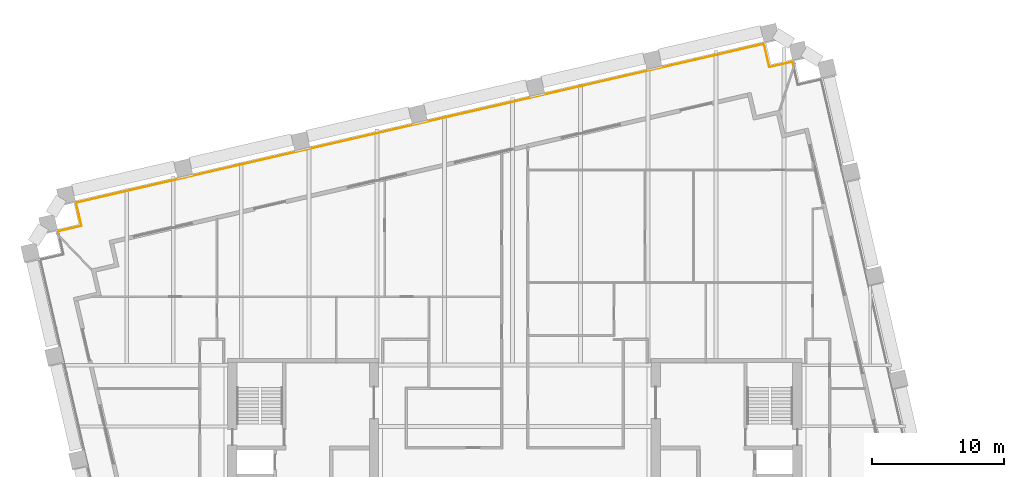
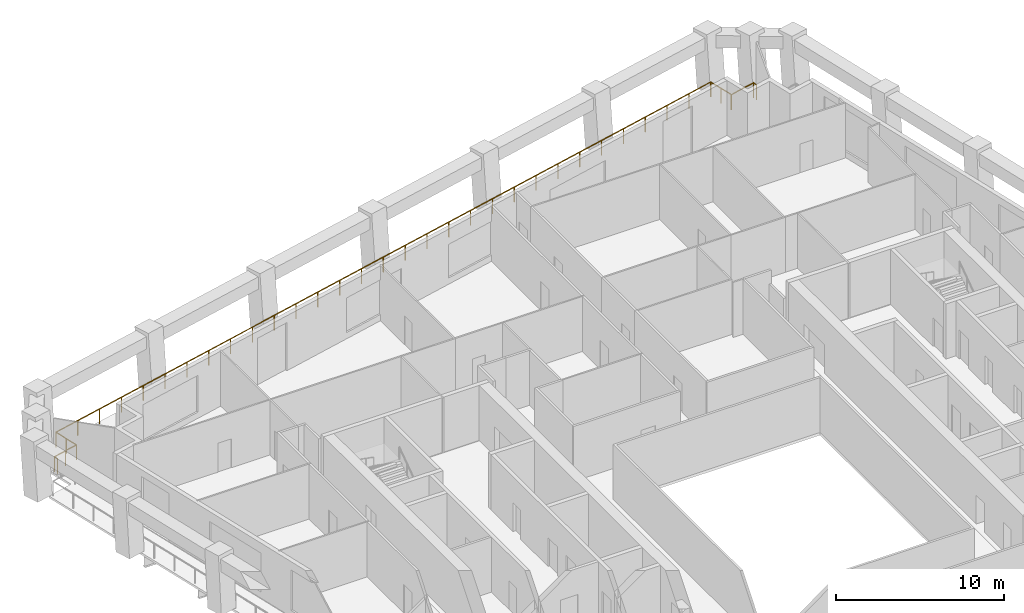
# One storey, part 11 of 11: 1 railing.
"""IFC4 building model written with IfcOpenShell, lengths in metres."""

import ifcopenshell
import ifcopenshell.guid

model = None  # the IFC model being written
_history = None  # IfcOwnerHistory: only IFC2X3 demands one
_inside = {}  # id of a spatial element -> (the spatial element, [elements in it])
_under = {}  # id of a project, library or spatial element -> (it, [spatial elements below it])
_declared = {}  # id of a project -> (the project, [libraries it declares])
_typed = {}  # id of a type object -> (the type object, [elements of that type])
_made_of = {}  # id of a material, layer set ... -> (it, [elements and type objects made of it])


def new_model(schema):
    """Start an empty IFC model of exactly this schema.

    Asked for "IFC4X3", IfcOpenShell would pick the latest addendum, in which some entities
    have other attributes; the version numbers below select the first issue.
    IFC2X3 requires an IfcOwnerHistory on every rooted entity: one is made here for all.
    """
    global model, _history
    if schema == "IFC4X3":
        model = ifcopenshell.file(schema_version=(4, 3, 0, 0))
    else:
        model = ifcopenshell.file(schema=schema)
    _inside.clear()
    _under.clear()
    _declared.clear()
    _typed.clear()
    _made_of.clear()
    _history = None
    if model.schema == "IFC2X3":
        org = make("IfcOrganization", Name="unknown")
        user = make(
            "IfcPersonAndOrganization",
            ThePerson=make("IfcPerson", FamilyName="unknown"),
            TheOrganization=org,
        )
        app = make(
            "IfcApplication",
            ApplicationDeveloper=org,
            Version="unknown",
            ApplicationFullName="unknown",
            ApplicationIdentifier="unknown",
        )
        _history = make(
            "IfcOwnerHistory",
            OwningUser=user,
            OwningApplication=app,
            ChangeAction="ADDED",
            CreationDate=0,
        )
    return model


def make(cls, **values):
    """One entity of the class cls with the attributes given. An attribute that is None is left unset."""
    return model.create_entity(
        cls, **{name: value for name, value in values.items() if value is not None}
    )


def rooted(cls, **values):
    """An entity with a GlobalId (a new one), such as an element, a storey or a relation."""
    return make(cls, GlobalId=ifcopenshell.guid.new(), OwnerHistory=_history, **values)


def si_unit(unit_type, name, prefix=None):
    """IfcSIUnit, for example si_unit("LENGTHUNIT", "METRE", prefix="MILLI")."""
    return make("IfcSIUnit", UnitType=unit_type, Prefix=prefix, Name=name)


def assignment(units):
    """IfcUnitAssignment: the units of a project."""
    return None if units is None else make("IfcUnitAssignment", Units=units)


def point(xyz):
    """IfcCartesianPoint."""
    return None if xyz is None else make("IfcCartesianPoint", Coordinates=xyz)


def direction(xyz):
    """IfcDirection."""
    return None if xyz is None else make("IfcDirection", DirectionRatios=xyz)


def frame(location, z_axis=None, x_axis=None):
    """IfcAxis2Placement3D, a coordinate frame: its origin and axes. An axis left out is left unset."""
    return make(
        "IfcAxis2Placement3D",
        Location=point(location),
        Axis=direction(z_axis),
        RefDirection=direction(x_axis),
    )


def frame_2d(location, x_axis=None):
    """IfcAxis2Placement2D, a coordinate frame in the plane: its origin and x axis."""
    return make(
        "IfcAxis2Placement2D", Location=point(location), RefDirection=direction(x_axis)
    )


def origin():
    """The frame at (0, 0, 0) with its axes left unset."""
    return frame((0.0, 0.0, 0.0))


def origin_2d():
    """The frame at (0, 0) in the plane with its x axis left unset."""
    return frame_2d((0.0, 0.0))


def place(relative_to, where):
    """IfcLocalPlacement: puts the frame where relative to a parent placement (None: the world)."""
    return make(
        "IfcLocalPlacement", PlacementRelTo=relative_to, RelativePlacement=where
    )


def context(
    kind, dimensions, precision=None, world=None, true_north=None, identifier=None
):
    """IfcGeometricRepresentationContext, for example the 3D "Model" context."""
    return make(
        "IfcGeometricRepresentationContext",
        ContextIdentifier=identifier,
        ContextType=kind,
        CoordinateSpaceDimension=dimensions,
        Precision=precision,
        WorldCoordinateSystem=world,
        TrueNorth=true_north,
    )


def subcontext(parent, identifier, kind, view, scale=None):
    """IfcGeometricRepresentationSubContext, for example "Body" below "Model"."""
    return make(
        "IfcGeometricRepresentationSubContext",
        ContextIdentifier=identifier,
        ContextType=kind,
        ParentContext=parent,
        TargetScale=scale,
        TargetView=view,
    )


def project(units=None, contexts=None):
    """IfcProject with its units and contexts."""
    return rooted(
        "IfcProject",
        Name="project",
        RepresentationContexts=contexts,
        UnitsInContext=assignment(units),
    )


def spatial(cls, under=None, at=None, **own):
    """A site, building, storey or space (cls), placed at a placement, below another one or the project."""
    s = rooted(cls, ObjectPlacement=at, **own)
    if under is not None:
        _under.setdefault(under.id(), (under, []))[1].append(s)
    return s


def profile(cls, at=None, kind="AREA", **sizes):
    """A parametric profile (cls). Its sizes go by their IFC names, for example OverallWidth=200.0."""
    return make(cls, ProfileType=kind, Position=at, **sizes)


def circle(**sizes):
    """IfcCircleProfileDef."""
    return profile("IfcCircleProfileDef", **sizes)


def extrude(swept, where, along, depth):
    """IfcExtrudedAreaSolid: the profile swept, set in the frame where, extruded along a direction by depth."""
    return make(
        "IfcExtrudedAreaSolid",
        SweptArea=swept,
        Position=where,
        ExtrudedDirection=direction(along),
        Depth=depth,
    )


def shape(context_of_items, identifier, shape_type, items):
    """IfcShapeRepresentation: the items that make up one representation, for example the "Body"."""
    return make(
        "IfcShapeRepresentation",
        ContextOfItems=context_of_items,
        RepresentationIdentifier=identifier,
        RepresentationType=shape_type,
        Items=items,
    )


def material(Name=None, Category=None):
    """IfcMaterial."""
    return make("IfcMaterial", Name=Name, Category=Category)


def made_of(thing, what):
    """Note that an element or type object is made of a material, layer set ...; save() writes the relation."""
    if what is not None:
        _made_of.setdefault(what.id(), (what, []))[1].append(thing)
    return thing


def type_object(cls, material=None, **own):
    """A type object (cls), such as IfcWallType, which elements share."""
    return made_of(rooted(cls, **own), material)


def element(
    cls,
    number,
    at=None,
    inside=None,
    cuts=None,
    type_object=None,
    material=None,
    context=None,
    identifier="Body",
    shape_type=None,
    held_by="IfcProductDefinitionShape",
    body=None,
    shapes=None,
    **own,
):
    """One element of the class cls, such as IfcWall. Its Tag is "e" and its number.

    at: its placement. inside: the storey or other place that contains it. cuts: it is an
    opening in that element (IfcRelVoidsElement). A single representation is given by context,
    identifier, shape_type and body (its items); several are given by shapes. held_by: the class
    of the entity that holds the representations. save() writes the other relations.
    """
    e = rooted(cls, Tag="e%d" % number, ObjectPlacement=at, **own)
    if body is not None:
        shapes = [shape(context, identifier, shape_type, body)]
    if shapes is not None:
        e.Representation = make(held_by, Representations=shapes)
    if inside is not None:
        _inside.setdefault(inside.id(), (inside, []))[1].append(e)
    if cuts is not None:
        rooted(
            "IfcRelVoidsElement", RelatingBuildingElement=cuts, RelatedOpeningElement=e
        )
    if type_object is not None:
        _typed.setdefault(type_object.id(), (type_object, []))[1].append(e)
    return made_of(e, material)


def aggregate(whole, parts):
    """IfcRelAggregates: a whole, such as a stair, and the parts it consists of."""
    return rooted("IfcRelAggregates", RelatingObject=whole, RelatedObjects=parts)


def save(model, path):
    """Write the relations noted so far, then the file.

    IfcRelAggregates (storeys below a building ...), IfcRelContainedInSpatialStructure (elements
    in a storey), IfcRelDefinesByType, IfcRelAssociatesMaterial and IfcRelDeclares: one each for
    every whole, place, type object, material and project.
    """
    for whole, parts in _under.values():
        aggregate(whole, parts)
    for where, things in _inside.values():
        rooted(
            "IfcRelContainedInSpatialStructure",
            RelatedElements=things,
            RelatingStructure=where,
        )
    for kind, things in _typed.values():
        rooted("IfcRelDefinesByType", RelatedObjects=things, RelatingType=kind)
    for what, things in _made_of.values():
        rooted("IfcRelAssociatesMaterial", RelatedObjects=things, RelatingMaterial=what)
    for by, libraries in _declared.values():
        rooted("IfcRelDeclares", RelatingContext=by, RelatedDefinitions=libraries)
    model.write(path)


model = new_model("IFC4")

# Units and contexts
model_context = context("Model", 3, precision=1e-05, world=origin(), true_north=direction((0.0, 1.0)))
body_context = subcontext(model_context, "Body", "Model", "MODEL_VIEW")
ifc_project = project(units=[si_unit("LENGTHUNIT", "METRE"), si_unit("AREAUNIT", "SQUARE_METRE"), si_unit("VOLUMEUNIT", "CUBIC_METRE"), si_unit("PLANEANGLEUNIT", "RADIAN"), si_unit("MASSUNIT", "GRAM", prefix="KILO")], contexts=[model_context])

# Site, building, storey
site_placement = place(None, origin())
site = spatial("IfcSite", under=ifc_project, at=site_placement, CompositionType="ELEMENT")
building_placement = place(site_placement, origin())
building = spatial("IfcBuilding", under=site, at=building_placement, Name="Ogive Exchange Tower", CompositionType="ELEMENT")
storey_placement = place(building_placement, frame((0.0, 0.0, 184.199951171875)))
storey = spatial("IfcBuildingStorey", under=building, at=storey_placement, Name="L40", CompositionType="ELEMENT", Elevation=184.199951171875)

# Railing
ifc_material = material(Name="Stainless steel 316", Category="steel")
railing_type = type_object("IfcRailingType", Name="Guard 1100 stainless steel and glass", PredefinedType="GUARDRAIL", material=ifc_material)
railing_placement = place(storey_placement, frame((-34.44580078125, 35.09521484375, -0.050048828125)))
element("IfcRailing", 1, at=railing_placement, inside=storey, type_object=railing_type, Name="Loggia guard 3", PredefinedType="GUARDRAIL", context=body_context, shape_type="SweptSolid", body=[
    extrude(circle(Radius=0.02392578125, at=origin_2d()), frame((0.0, 0.0, 1.076171875), z_axis=(-0.224539202938, 0.974465056502, 0.0), x_axis=(-0.974465056502, -0.224539202938, 0.0)), (0.0, 0.0, 1.0), 0.2783203125),
    extrude(circle(Radius=0.02392578125, at=origin_2d()), frame((-0.0625, 0.271240234375, 1.076171875), z_axis=(0.974386623598, 0.224879318197, 0.0), x_axis=(-0.224879318197, 0.974386623598, 0.0)), (0.0, 0.0, 1.0), 1.800048828125),
    extrude(circle(Radius=0.02392578125, at=origin_2d()), frame((1.69140625, 0.676025390625, 1.076171875), z_axis=(-0.224879318197, 0.974386623598, 0.0), x_axis=(-0.974386623598, -0.224879318197, 0.0)), (0.0, 0.0, 1.0), 1.800048828125),
    extrude(circle(Radius=0.02392578125, at=origin_2d()), frame((1.28662109375, 2.429931640625, 1.076171875), z_axis=(0.974369753882, 0.224952401011, 0.0), x_axis=(-0.224952401011, 0.974369753882, 0.0)), (0.0, 0.0, 1.0), 53.35986328125),
    extrude(circle(Radius=0.02392578125, at=origin_2d()), frame((53.27880859375, 14.433349609375, 1.076171875), z_axis=(0.225008086135, -0.974356896201, 0.0), x_axis=(0.974356896201, 0.225008086135, 0.0)), (0.0, 0.0, 1.0), 1.800048828125),
    extrude(circle(Radius=0.02392578125, at=origin_2d()), frame((53.683837890625, 12.679443359375, 1.076171875), z_axis=(0.974350028141, 0.22503782496, 0.0), x_axis=(-0.22503782496, 0.974350028141, 0.0)), (0.0, 0.0, 1.0), 1.7998046875),
    extrude(circle(Radius=0.02392578125, at=origin_2d()), frame((55.4375, 13.08447265625, 1.076171875), z_axis=(0.225371841097, -0.974272822797, 0.0), x_axis=(0.974272822797, 0.225371841097, 0.0)), (0.0, 0.0, 1.0), 0.2783203125),
    extrude(circle(Radius=0.02099609375, at=origin_2d()), origin(), (0.0, 0.0, 1.0), 1.052001953125),
    extrude(circle(Radius=0.02099609375, at=origin_2d()), frame((-0.0625, 0.271240234375, 0.0)), (0.0, 0.0, 1.0), 1.052001953125),
    extrude(circle(Radius=0.02099609375, at=origin_2d()), frame((0.814453125, 0.4736328125, 0.0)), (0.0, 0.0, 1.0), 1.052001953125),
    extrude(circle(Radius=0.02099609375, at=origin_2d()), frame((1.69140625, 0.676025390625, 0.0)), (0.0, 0.0, 1.0), 1.052001953125),
    extrude(circle(Radius=0.02099609375, at=origin_2d()), frame((1.489013671875, 1.552978515625, 0.0)), (0.0, 0.0, 1.0), 1.052001953125),
    extrude(circle(Radius=0.02099609375, at=origin_2d()), frame((1.28662109375, 2.429931640625, 0.0)), (0.0, 0.0, 1.0), 1.052001953125),
    extrude(circle(Radius=0.02099609375, at=origin_2d()), frame((3.019775390625, 2.830078125, 0.0)), (0.0, 0.0, 1.0), 1.052001953125),
    extrude(circle(Radius=0.02099609375, at=origin_2d()), frame((4.752685546875, 3.230224609375, 0.0)), (0.0, 0.0, 1.0), 1.052001953125),
    extrude(circle(Radius=0.02099609375, at=origin_2d()), frame((6.48583984375, 3.63037109375, 0.0)), (0.0, 0.0, 1.0), 1.052001953125),
    extrude(circle(Radius=0.02099609375, at=origin_2d()), frame((8.218994140625, 4.0302734375, 0.0)), (0.0, 0.0, 1.0), 1.052001953125),
    extrude(circle(Radius=0.02099609375, at=origin_2d()), frame((9.951904296875, 4.430419921875, 0.0)), (0.0, 0.0, 1.0), 1.052001953125),
    extrude(circle(Radius=0.02099609375, at=origin_2d()), frame((11.68505859375, 4.83056640625, 0.0)), (0.0, 0.0, 1.0), 1.052001953125),
    extrude(circle(Radius=0.02099609375, at=origin_2d()), frame((13.418212890625, 5.230712890625, 0.0)), (0.0, 0.0, 1.0), 1.052001953125),
    extrude(circle(Radius=0.02099609375, at=origin_2d()), frame((15.151123046875, 5.630859375, 0.0)), (0.0, 0.0, 1.0), 1.052001953125),
    extrude(circle(Radius=0.02099609375, at=origin_2d()), frame((16.88427734375, 6.031005859375, 0.0)), (0.0, 0.0, 1.0), 1.052001953125),
    extrude(circle(Radius=0.02099609375, at=origin_2d()), frame((18.617431640625, 6.43115234375, 0.0)), (0.0, 0.0, 1.0), 1.052001953125),
    extrude(circle(Radius=0.02099609375, at=origin_2d()), frame((20.350341796875, 6.831298828125, 0.0)), (0.0, 0.0, 1.0), 1.052001953125),
    extrude(circle(Radius=0.02099609375, at=origin_2d()), frame((22.08349609375, 7.231201171875, 0.0)), (0.0, 0.0, 1.0), 1.052001953125),
    extrude(circle(Radius=0.02099609375, at=origin_2d()), frame((23.816650390625, 7.63134765625, 0.0)), (0.0, 0.0, 1.0), 1.052001953125),
    extrude(circle(Radius=0.02099609375, at=origin_2d()), frame((25.549560546875, 8.031494140625, 0.0)), (0.0, 0.0, 1.0), 1.052001953125),
    extrude(circle(Radius=0.02099609375, at=origin_2d()), frame((27.28271484375, 8.431640625, 0.0)), (0.0, 0.0, 1.0), 1.052001953125),
    extrude(circle(Radius=0.02099609375, at=origin_2d()), frame((29.015869140625, 8.831787109375, 0.0)), (0.0, 0.0, 1.0), 1.052001953125),
    extrude(circle(Radius=0.02099609375, at=origin_2d()), frame((30.748779296875, 9.23193359375, 0.0)), (0.0, 0.0, 1.0), 1.052001953125),
    extrude(circle(Radius=0.02099609375, at=origin_2d()), frame((32.48193359375, 9.632080078125, 0.0)), (0.0, 0.0, 1.0), 1.052001953125),
    extrude(circle(Radius=0.02099609375, at=origin_2d()), frame((34.215087890625, 10.031982421875, 0.0)), (0.0, 0.0, 1.0), 1.052001953125),
    extrude(circle(Radius=0.02099609375, at=origin_2d()), frame((35.947998046875, 10.43212890625, 0.0)), (0.0, 0.0, 1.0), 1.052001953125),
    extrude(circle(Radius=0.02099609375, at=origin_2d()), frame((37.68115234375, 10.832275390625, 0.0)), (0.0, 0.0, 1.0), 1.052001953125),
    extrude(circle(Radius=0.02099609375, at=origin_2d()), frame((39.414306640625, 11.232421875, 0.0)), (0.0, 0.0, 1.0), 1.052001953125),
    extrude(circle(Radius=0.02099609375, at=origin_2d()), frame((41.147216796875, 11.632568359375, 0.0)), (0.0, 0.0, 1.0), 1.052001953125),
    extrude(circle(Radius=0.02099609375, at=origin_2d()), frame((42.88037109375, 12.03271484375, 0.0)), (0.0, 0.0, 1.0), 1.052001953125),
    extrude(circle(Radius=0.02099609375, at=origin_2d()), frame((44.613525390625, 12.432861328125, 0.0)), (0.0, 0.0, 1.0), 1.052001953125),
    extrude(circle(Radius=0.02099609375, at=origin_2d()), frame((46.346435546875, 12.8330078125, 0.0)), (0.0, 0.0, 1.0), 1.052001953125),
    extrude(circle(Radius=0.02099609375, at=origin_2d()), frame((48.07958984375, 13.23291015625, 0.0)), (0.0, 0.0, 1.0), 1.052001953125),
    extrude(circle(Radius=0.02099609375, at=origin_2d()), frame((49.812744140625, 13.633056640625, 0.0)), (0.0, 0.0, 1.0), 1.052001953125),
    extrude(circle(Radius=0.02099609375, at=origin_2d()), frame((51.545654296875, 14.033203125, 0.0)), (0.0, 0.0, 1.0), 1.052001953125),
    extrude(circle(Radius=0.02099609375, at=origin_2d()), frame((53.27880859375, 14.433349609375, 0.0)), (0.0, 0.0, 1.0), 1.052001953125),
    extrude(circle(Radius=0.02099609375, at=origin_2d()), frame((53.4814453125, 13.556396484375, 0.0)), (0.0, 0.0, 1.0), 1.052001953125),
    extrude(circle(Radius=0.02099609375, at=origin_2d()), frame((53.683837890625, 12.679443359375, 0.0)), (0.0, 0.0, 1.0), 1.052001953125),
    extrude(circle(Radius=0.02099609375, at=origin_2d()), frame((55.4375, 13.08447265625, 0.0)), (0.0, 0.0, 1.0), 1.052001953125),
    extrude(circle(Radius=0.02099609375, at=origin_2d()), frame((55.500244140625, 12.813232421875, 0.0)), (0.0, 0.0, 1.0), 1.052001953125),
])

save(model, "model.ifc")
